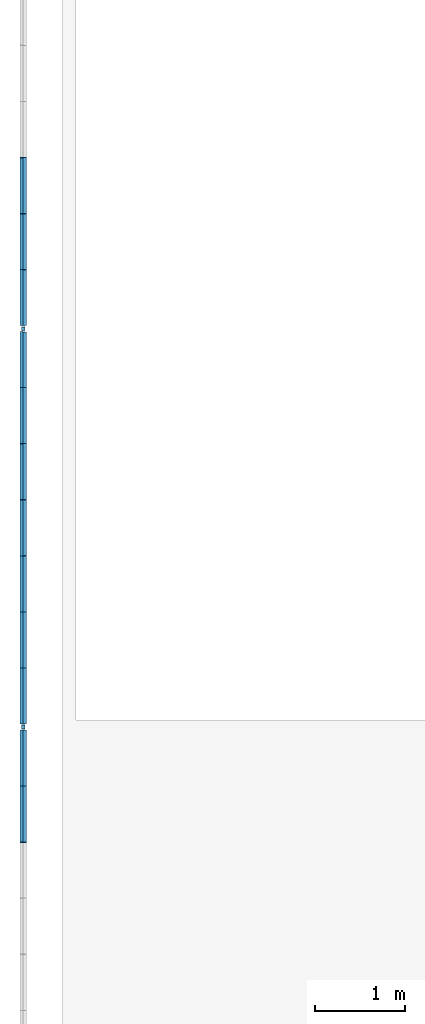
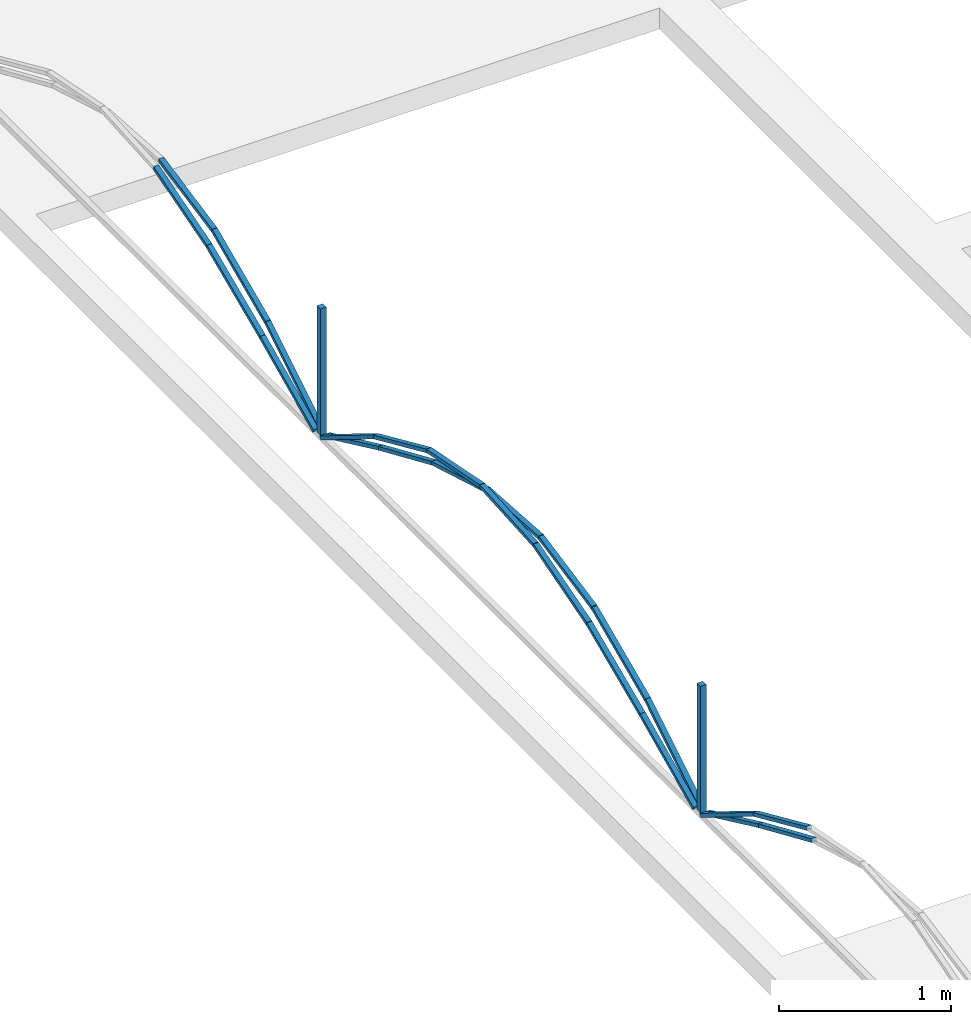
# One storey, part 4 of 9: 26 discrete accessories.
"""IFC4 building model written with IfcOpenShell, lengths in metres."""

import ifcopenshell
import ifcopenshell.guid

model = None  # the IFC model being written
_history = None  # IfcOwnerHistory: only IFC2X3 demands one
_inside = {}  # id of a spatial element -> (the spatial element, [elements in it])
_under = {}  # id of a project, library or spatial element -> (it, [spatial elements below it])
_declared = {}  # id of a project -> (the project, [libraries it declares])
_typed = {}  # id of a type object -> (the type object, [elements of that type])
_made_of = {}  # id of a material, layer set ... -> (it, [elements and type objects made of it])


def new_model(schema):
    """Start an empty IFC model of exactly this schema.

    Asked for "IFC4X3", IfcOpenShell would pick the latest addendum, in which some entities
    have other attributes; the version numbers below select the first issue.
    IFC2X3 requires an IfcOwnerHistory on every rooted entity: one is made here for all.
    """
    global model, _history
    if schema == "IFC4X3":
        model = ifcopenshell.file(schema_version=(4, 3, 0, 0))
    else:
        model = ifcopenshell.file(schema=schema)
    _inside.clear()
    _under.clear()
    _declared.clear()
    _typed.clear()
    _made_of.clear()
    _history = None
    if model.schema == "IFC2X3":
        org = make("IfcOrganization", Name="unknown")
        user = make(
            "IfcPersonAndOrganization",
            ThePerson=make("IfcPerson", FamilyName="unknown"),
            TheOrganization=org,
        )
        app = make(
            "IfcApplication",
            ApplicationDeveloper=org,
            Version="unknown",
            ApplicationFullName="unknown",
            ApplicationIdentifier="unknown",
        )
        _history = make(
            "IfcOwnerHistory",
            OwningUser=user,
            OwningApplication=app,
            ChangeAction="ADDED",
            CreationDate=0,
        )
    return model


def make(cls, **values):
    """One entity of the class cls with the attributes given. An attribute that is None is left unset."""
    return model.create_entity(
        cls, **{name: value for name, value in values.items() if value is not None}
    )


def rooted(cls, **values):
    """An entity with a GlobalId (a new one), such as an element, a storey or a relation."""
    return make(cls, GlobalId=ifcopenshell.guid.new(), OwnerHistory=_history, **values)


def si_unit(unit_type, name, prefix=None):
    """IfcSIUnit, for example si_unit("LENGTHUNIT", "METRE", prefix="MILLI")."""
    return make("IfcSIUnit", UnitType=unit_type, Prefix=prefix, Name=name)


def assignment(units):
    """IfcUnitAssignment: the units of a project."""
    return None if units is None else make("IfcUnitAssignment", Units=units)


def point(xyz):
    """IfcCartesianPoint."""
    return None if xyz is None else make("IfcCartesianPoint", Coordinates=xyz)


def direction(xyz):
    """IfcDirection."""
    return None if xyz is None else make("IfcDirection", DirectionRatios=xyz)


def frame(location, z_axis=None, x_axis=None):
    """IfcAxis2Placement3D, a coordinate frame: its origin and axes. An axis left out is left unset."""
    return make(
        "IfcAxis2Placement3D",
        Location=point(location),
        Axis=direction(z_axis),
        RefDirection=direction(x_axis),
    )


def frame_2d(location, x_axis=None):
    """IfcAxis2Placement2D, a coordinate frame in the plane: its origin and x axis."""
    return make(
        "IfcAxis2Placement2D", Location=point(location), RefDirection=direction(x_axis)
    )


def origin():
    """The frame at (0, 0, 0) with its axes left unset."""
    return frame((0.0, 0.0, 0.0))


def origin_2d():
    """The frame at (0, 0) in the plane with its x axis left unset."""
    return frame_2d((0.0, 0.0))


def place(relative_to, where):
    """IfcLocalPlacement: puts the frame where relative to a parent placement (None: the world)."""
    return make(
        "IfcLocalPlacement", PlacementRelTo=relative_to, RelativePlacement=where
    )


def context(
    kind, dimensions, precision=None, world=None, true_north=None, identifier=None
):
    """IfcGeometricRepresentationContext, for example the 3D "Model" context."""
    return make(
        "IfcGeometricRepresentationContext",
        ContextIdentifier=identifier,
        ContextType=kind,
        CoordinateSpaceDimension=dimensions,
        Precision=precision,
        WorldCoordinateSystem=world,
        TrueNorth=true_north,
    )


def subcontext(parent, identifier, kind, view, scale=None):
    """IfcGeometricRepresentationSubContext, for example "Body" below "Model"."""
    return make(
        "IfcGeometricRepresentationSubContext",
        ContextIdentifier=identifier,
        ContextType=kind,
        ParentContext=parent,
        TargetScale=scale,
        TargetView=view,
    )


def project(units=None, contexts=None):
    """IfcProject with its units and contexts."""
    return rooted(
        "IfcProject",
        Name="project",
        RepresentationContexts=contexts,
        UnitsInContext=assignment(units),
    )


def spatial(cls, under=None, at=None, **own):
    """A site, building, storey or space (cls), placed at a placement, below another one or the project."""
    s = rooted(cls, ObjectPlacement=at, **own)
    if under is not None:
        _under.setdefault(under.id(), (under, []))[1].append(s)
    return s


def profile(cls, at=None, kind="AREA", **sizes):
    """A parametric profile (cls). Its sizes go by their IFC names, for example OverallWidth=200.0."""
    return make(cls, ProfileType=kind, Position=at, **sizes)


def rectangle(**sizes):
    """IfcRectangleProfileDef."""
    return profile("IfcRectangleProfileDef", **sizes)


def extrude(swept, where, along, depth):
    """IfcExtrudedAreaSolid: the profile swept, set in the frame where, extruded along a direction by depth."""
    return make(
        "IfcExtrudedAreaSolid",
        SweptArea=swept,
        Position=where,
        ExtrudedDirection=direction(along),
        Depth=depth,
    )


def shape(context_of_items, identifier, shape_type, items):
    """IfcShapeRepresentation: the items that make up one representation, for example the "Body"."""
    return make(
        "IfcShapeRepresentation",
        ContextOfItems=context_of_items,
        RepresentationIdentifier=identifier,
        RepresentationType=shape_type,
        Items=items,
    )


def material(Name=None, Category=None):
    """IfcMaterial."""
    return make("IfcMaterial", Name=Name, Category=Category)


def material_profile(
    of_material, cross_section, Name=None, Category=None, Priority=None
):
    """IfcMaterialProfile: a cross section and its material."""
    return make(
        "IfcMaterialProfile",
        Name=Name,
        Material=of_material,
        Profile=cross_section,
        Priority=Priority,
        Category=Category,
    )


def profile_set(profiles, Name=None, composite=None):
    """IfcMaterialProfileSet."""
    return make(
        "IfcMaterialProfileSet",
        Name=Name,
        MaterialProfiles=profiles,
        CompositeProfile=composite,
    )


def made_of(thing, what):
    """Note that an element or type object is made of a material, layer set ...; save() writes the relation."""
    if what is not None:
        _made_of.setdefault(what.id(), (what, []))[1].append(thing)
    return thing


def type_object(cls, material=None, **own):
    """A type object (cls), such as IfcWallType, which elements share."""
    return made_of(rooted(cls, **own), material)


def element(
    cls,
    number,
    at=None,
    inside=None,
    cuts=None,
    type_object=None,
    material=None,
    context=None,
    identifier="Body",
    shape_type=None,
    held_by="IfcProductDefinitionShape",
    body=None,
    shapes=None,
    **own,
):
    """One element of the class cls, such as IfcWall. Its Tag is "e" and its number.

    at: its placement. inside: the storey or other place that contains it. cuts: it is an
    opening in that element (IfcRelVoidsElement). A single representation is given by context,
    identifier, shape_type and body (its items); several are given by shapes. held_by: the class
    of the entity that holds the representations. save() writes the other relations.
    """
    e = rooted(cls, Tag="e%d" % number, ObjectPlacement=at, **own)
    if body is not None:
        shapes = [shape(context, identifier, shape_type, body)]
    if shapes is not None:
        e.Representation = make(held_by, Representations=shapes)
    if inside is not None:
        _inside.setdefault(inside.id(), (inside, []))[1].append(e)
    if cuts is not None:
        rooted(
            "IfcRelVoidsElement", RelatingBuildingElement=cuts, RelatedOpeningElement=e
        )
    if type_object is not None:
        _typed.setdefault(type_object.id(), (type_object, []))[1].append(e)
    return made_of(e, material)


def aggregate(whole, parts):
    """IfcRelAggregates: a whole, such as a stair, and the parts it consists of."""
    return rooted("IfcRelAggregates", RelatingObject=whole, RelatedObjects=parts)


def save(model, path):
    """Write the relations noted so far, then the file.

    IfcRelAggregates (storeys below a building ...), IfcRelContainedInSpatialStructure (elements
    in a storey), IfcRelDefinesByType, IfcRelAssociatesMaterial and IfcRelDeclares: one each for
    every whole, place, type object, material and project.
    """
    for whole, parts in _under.values():
        aggregate(whole, parts)
    for where, things in _inside.values():
        rooted(
            "IfcRelContainedInSpatialStructure",
            RelatedElements=things,
            RelatingStructure=where,
        )
    for kind, things in _typed.values():
        rooted("IfcRelDefinesByType", RelatedObjects=things, RelatingType=kind)
    for what, things in _made_of.values():
        rooted("IfcRelAssociatesMaterial", RelatedObjects=things, RelatingMaterial=what)
    for by, libraries in _declared.values():
        rooted("IfcRelDeclares", RelatingContext=by, RelatedDefinitions=libraries)
    model.write(path)


model = new_model("IFC4")

# Units and contexts
model_context = context("Model", 3, precision=1e-05, world=origin(), true_north=direction((0.0, 1.0)))
body_context = subcontext(model_context, "Body", "Model", "MODEL_VIEW")
ifc_project = project(units=[si_unit("LENGTHUNIT", "METRE"), si_unit("AREAUNIT", "SQUARE_METRE"), si_unit("VOLUMEUNIT", "CUBIC_METRE"), si_unit("PLANEANGLEUNIT", "RADIAN"), si_unit("MASSUNIT", "GRAM", prefix="KILO")], contexts=[model_context])

# Site, building, storey
site_placement = place(None, origin())
site = spatial("IfcSite", under=ifc_project, at=site_placement, CompositionType="ELEMENT")
building_placement = place(site_placement, origin())
building = spatial("IfcBuilding", under=site, at=building_placement, Name="Hortulan Conservatory and Botanical Research Centre", CompositionType="ELEMENT")
storey_placement = place(building_placement, frame((0.0, 0.0, 74.25)))
storey = spatial("IfcBuildingStorey", under=building, at=storey_placement, Name="MAIN ROOF", CompositionType="ELEMENT", Elevation=74.25)

# Discrete accessories
ifc_material = material(Name="Bronze-charcoal painted wrought iron", Category="metal")
ifc_material_profile_1 = material_profile(ifc_material, rectangle(XDim=0.0400390625, YDim=0.0400390625, at=origin_2d()), Name="Square bar 40x40")
ifc_profile_set_1 = profile_set([ifc_material_profile_1], Name="Bronze-charcoal painted wrought iron")
discrete_accessory_type_1 = type_object("IfcDiscreteAccessoryType", Name="Cresting Post 40x40", PredefinedType="USERDEFINED", material=ifc_profile_set_1)
for number, where, z_axis, x_axis, name in (
    (1, (8.56396484375, 9.0712890625, 1.43994140625), (0.0, 0.0, 1.0), (1.0, 0.0, 0.0), "Cresting post"),
    (2, (8.56396484375, 13.5, 1.43994140625), (0.0, 0.0, 1.0), (1.0, 0.0, 0.0), "Cresting post"),
):
    element("IfcDiscreteAccessory", number, at=place(storey_placement, frame(where, z_axis=z_axis, x_axis=x_axis)), inside=storey, type_object=discrete_accessory_type_1, Name=name, ObjectType="Cresting post", PredefinedType="USERDEFINED", context=body_context, shape_type="SweptSolid", body=[
        extrude(rectangle(XDim=0.0400390625, YDim=0.0400390625, at=origin_2d()), origin(), (0.0, 0.0, 1.0), 0.900146484375),
    ])
ifc_material_profile_2 = material_profile(ifc_material, rectangle(XDim=0.034912109375, YDim=0.02490234375, at=origin_2d()), Name="Flat bar 35x25")
ifc_profile_set_2 = profile_set([ifc_material_profile_2], Name="Bronze-charcoal painted wrought iron")
discrete_accessory_type_2 = type_object("IfcDiscreteAccessoryType", Name="Whiplash Bar 35x25", PredefinedType="USERDEFINED", material=ifc_profile_set_2)
discrete_accessory_1_placement = place(storey_placement, frame((8.58154296875, 7.788818359375, 2.00048828125), z_axis=(0.0, 0.917007032271, -0.398871035255), x_axis=(-1.0, 0.0, 0.0)))
element("IfcDiscreteAccessory", 3, at=discrete_accessory_1_placement, inside=storey, type_object=discrete_accessory_type_2, Name="Whiplash bar", ObjectType="Whiplash cresting bar", PredefinedType="USERDEFINED", context=body_context, shape_type="SweptSolid", body=[
    extrude(rectangle(XDim=0.034912109375, YDim=0.02490234375, at=origin_2d()), origin(), (0.0, 0.0, 1.0), 0.677490234375),
])
discrete_accessory_2_placement = place(storey_placement, frame((8.58154296875, 8.41015625, 1.730224609375), z_axis=(0.0, 0.905937350964, -0.423411757192), x_axis=(-1.0, 0.0, 0.0)))
element("IfcDiscreteAccessory", 4, at=discrete_accessory_2_placement, inside=storey, type_object=discrete_accessory_type_2, Name="Whiplash bar", ObjectType="Whiplash cresting bar", PredefinedType="USERDEFINED", context=body_context, shape_type="SweptSolid", body=[
    extrude(rectangle(XDim=0.034912109375, YDim=0.02490234375, at=origin_2d()), origin(), (0.0, 0.0, 1.0), 0.685546875),
])
discrete_accessory_3_placement = place(storey_placement, frame((8.54638671875, 7.788818359375, 2.100341796875), z_axis=(0.0, 0.91329286658, -0.407303498455), x_axis=(-1.0, 0.0, 0.0)))
element("IfcDiscreteAccessory", 5, at=discrete_accessory_3_placement, inside=storey, type_object=discrete_accessory_type_2, Name="Whiplash bar", ObjectType="Whiplash cresting bar", PredefinedType="USERDEFINED", context=body_context, shape_type="SweptSolid", body=[
    extrude(rectangle(XDim=0.034912109375, YDim=0.02490234375, at=origin_2d()), origin(), (0.0, 0.0, 1.0), 0.680419921875),
])
discrete_accessory_4_placement = place(storey_placement, frame((8.54638671875, 8.41015625, 1.8232421875), z_axis=(0.0, 0.850991481626, -0.525179491412), x_axis=(-1.0, 0.0, 0.0)))
element("IfcDiscreteAccessory", 6, at=discrete_accessory_4_placement, inside=storey, type_object=discrete_accessory_type_2, Name="Whiplash bar", ObjectType="Whiplash cresting bar", PredefinedType="USERDEFINED", context=body_context, shape_type="SweptSolid", body=[
    extrude(rectangle(XDim=0.034912109375, YDim=0.02490234375, at=origin_2d()), origin(), (0.0, 0.0, 1.0), 0.729736328125),
])
discrete_accessory_5_placement = place(storey_placement, frame((8.58154296875, 9.111328125, 1.43994140625), z_axis=(0.0, 0.851083704405, 0.5250300259), x_axis=(-1.0, 0.0, 0.0)))
element("IfcDiscreteAccessory", 7, at=discrete_accessory_5_placement, inside=storey, type_object=discrete_accessory_type_2, Name="Whiplash bar", ObjectType="Whiplash cresting bar", PredefinedType="USERDEFINED", context=body_context, shape_type="SweptSolid", body=[
    extrude(rectangle(XDim=0.034912109375, YDim=0.02490234375, at=origin_2d()), origin(), (0.0, 0.0, 1.0), 0.72998046875),
])
discrete_accessory_6_placement = place(storey_placement, frame((8.58154296875, 9.732666015625, 1.8232421875), z_axis=(0.0, 0.913233304192, 0.407437028403), x_axis=(-1.0, 0.0, 0.0)))
element("IfcDiscreteAccessory", 8, at=discrete_accessory_6_placement, inside=storey, type_object=discrete_accessory_type_2, Name="Whiplash bar", ObjectType="Whiplash cresting bar", PredefinedType="USERDEFINED", context=body_context, shape_type="SweptSolid", body=[
    extrude(rectangle(XDim=0.034912109375, YDim=0.02490234375, at=origin_2d()), origin(), (0.0, 0.0, 1.0), 0.68017578125),
])
discrete_accessory_7_placement = place(storey_placement, frame((8.58154296875, 10.353759765625, 2.100341796875), z_axis=(0.0, 0.980728609144, 0.195375011723), x_axis=(-1.0, 0.0, 0.0)))
element("IfcDiscreteAccessory", 9, at=discrete_accessory_7_placement, inside=storey, type_object=discrete_accessory_type_2, Name="Whiplash bar", ObjectType="Whiplash cresting bar", PredefinedType="USERDEFINED", context=body_context, shape_type="SweptSolid", body=[
    extrude(rectangle(XDim=0.034912109375, YDim=0.02490234375, at=origin_2d()), origin(), (0.0, 0.0, 1.0), 0.633544921875),
])
discrete_accessory_8_placement = place(storey_placement, frame((8.58154296875, 10.97509765625, 2.22412109375), z_axis=(0.0, 0.997774733056, -0.066675198357), x_axis=(-1.0, 0.0, 0.0)))
element("IfcDiscreteAccessory", 10, at=discrete_accessory_8_placement, inside=storey, type_object=discrete_accessory_type_2, Name="Whiplash bar", ObjectType="Whiplash cresting bar", PredefinedType="USERDEFINED", context=body_context, shape_type="SweptSolid", body=[
    extrude(rectangle(XDim=0.034912109375, YDim=0.02490234375, at=origin_2d()), origin(), (0.0, 0.0, 1.0), 0.62255859375),
])
discrete_accessory_9_placement = place(storey_placement, frame((8.58154296875, 11.59619140625, 2.1826171875), z_axis=(0.0, 0.959623279504, -0.281288395485), x_axis=(-1.0, 0.0, 0.0)))
element("IfcDiscreteAccessory", 11, at=discrete_accessory_9_placement, inside=storey, type_object=discrete_accessory_type_2, Name="Whiplash bar", ObjectType="Whiplash cresting bar", PredefinedType="USERDEFINED", context=body_context, shape_type="SweptSolid", body=[
    extrude(rectangle(XDim=0.034912109375, YDim=0.02490234375, at=origin_2d()), origin(), (0.0, 0.0, 1.0), 0.6474609375),
])
discrete_accessory_10_placement = place(storey_placement, frame((8.58154296875, 12.217529296875, 2.00048828125), z_axis=(0.0, 0.917007032271, -0.398871035255), x_axis=(-1.0, 0.0, 0.0)))
element("IfcDiscreteAccessory", 12, at=discrete_accessory_10_placement, inside=storey, type_object=discrete_accessory_type_2, Name="Whiplash bar", ObjectType="Whiplash cresting bar", PredefinedType="USERDEFINED", context=body_context, shape_type="SweptSolid", body=[
    extrude(rectangle(XDim=0.034912109375, YDim=0.02490234375, at=origin_2d()), origin(), (0.0, 0.0, 1.0), 0.677490234375),
])
discrete_accessory_11_placement = place(storey_placement, frame((8.58154296875, 12.8388671875, 1.730224609375), z_axis=(0.0, 0.905937350964, -0.423411757192), x_axis=(-1.0, 0.0, 0.0)))
element("IfcDiscreteAccessory", 13, at=discrete_accessory_11_placement, inside=storey, type_object=discrete_accessory_type_2, Name="Whiplash bar", ObjectType="Whiplash cresting bar", PredefinedType="USERDEFINED", context=body_context, shape_type="SweptSolid", body=[
    extrude(rectangle(XDim=0.034912109375, YDim=0.02490234375, at=origin_2d()), origin(), (0.0, 0.0, 1.0), 0.685546875),
])
discrete_accessory_12_placement = place(storey_placement, frame((8.54638671875, 9.111328125, 1.43994140625), z_axis=(0.0, 0.906001162141, 0.42327519913), x_axis=(-1.0, 0.0, 0.0)))
element("IfcDiscreteAccessory", 14, at=discrete_accessory_12_placement, inside=storey, type_object=discrete_accessory_type_2, Name="Whiplash bar", ObjectType="Whiplash cresting bar", PredefinedType="USERDEFINED", context=body_context, shape_type="SweptSolid", body=[
    extrude(rectangle(XDim=0.034912109375, YDim=0.02490234375, at=origin_2d()), origin(), (0.0, 0.0, 1.0), 0.685791015625),
])
discrete_accessory_13_placement = place(storey_placement, frame((8.54638671875, 9.732666015625, 1.730224609375), z_axis=(0.0, 0.91694967808, 0.399002866995), x_axis=(-1.0, 0.0, 0.0)))
element("IfcDiscreteAccessory", 15, at=discrete_accessory_13_placement, inside=storey, type_object=discrete_accessory_type_2, Name="Whiplash bar", ObjectType="Whiplash cresting bar", PredefinedType="USERDEFINED", context=body_context, shape_type="SweptSolid", body=[
    extrude(rectangle(XDim=0.034912109375, YDim=0.02490234375, at=origin_2d()), origin(), (0.0, 0.0, 1.0), 0.67724609375),
])
discrete_accessory_14_placement = place(storey_placement, frame((8.54638671875, 10.353759765625, 2.00048828125), z_axis=(0.0, 0.959623279504, 0.281288395485), x_axis=(-1.0, 0.0, 0.0)))
element("IfcDiscreteAccessory", 16, at=discrete_accessory_14_placement, inside=storey, type_object=discrete_accessory_type_2, Name="Whiplash bar", ObjectType="Whiplash cresting bar", PredefinedType="USERDEFINED", context=body_context, shape_type="SweptSolid", body=[
    extrude(rectangle(XDim=0.034912109375, YDim=0.02490234375, at=origin_2d()), origin(), (0.0, 0.0, 1.0), 0.6474609375),
])
discrete_accessory_15_placement = place(storey_placement, frame((8.54638671875, 10.97509765625, 2.1826171875), z_axis=(0.0, 0.997774733056, 0.066675198357), x_axis=(-1.0, 0.0, 0.0)))
element("IfcDiscreteAccessory", 17, at=discrete_accessory_15_placement, inside=storey, type_object=discrete_accessory_type_2, Name="Whiplash bar", ObjectType="Whiplash cresting bar", PredefinedType="USERDEFINED", context=body_context, shape_type="SweptSolid", body=[
    extrude(rectangle(XDim=0.034912109375, YDim=0.02490234375, at=origin_2d()), origin(), (0.0, 0.0, 1.0), 0.62255859375),
])
discrete_accessory_16_placement = place(storey_placement, frame((8.54638671875, 11.59619140625, 2.22412109375), z_axis=(0.0, 0.980728609144, -0.195375011723), x_axis=(-1.0, 0.0, 0.0)))
element("IfcDiscreteAccessory", 18, at=discrete_accessory_16_placement, inside=storey, type_object=discrete_accessory_type_2, Name="Whiplash bar", ObjectType="Whiplash cresting bar", PredefinedType="USERDEFINED", context=body_context, shape_type="SweptSolid", body=[
    extrude(rectangle(XDim=0.034912109375, YDim=0.02490234375, at=origin_2d()), origin(), (0.0, 0.0, 1.0), 0.633544921875),
])
discrete_accessory_17_placement = place(storey_placement, frame((8.54638671875, 12.217529296875, 2.100341796875), z_axis=(0.0, 0.91329286658, -0.407303498455), x_axis=(-1.0, 0.0, 0.0)))
element("IfcDiscreteAccessory", 19, at=discrete_accessory_17_placement, inside=storey, type_object=discrete_accessory_type_2, Name="Whiplash bar", ObjectType="Whiplash cresting bar", PredefinedType="USERDEFINED", context=body_context, shape_type="SweptSolid", body=[
    extrude(rectangle(XDim=0.034912109375, YDim=0.02490234375, at=origin_2d()), origin(), (0.0, 0.0, 1.0), 0.680419921875),
])
for number, where, z_axis, x_axis, name in (
    (20, (8.54638671875, 12.8388671875, 1.8232421875), (0.0, 0.850991481626, -0.525179491412), (-1.0, 0.0, 0.0), "Whiplash bar"),
    (21, (8.58154296875, 13.5400390625, 1.43994140625), (0.0, 0.850991481626, 0.525179491412), (-1.0, 0.0, 0.0), "Whiplash bar"),
):
    element("IfcDiscreteAccessory", number, at=place(storey_placement, frame(where, z_axis=z_axis, x_axis=x_axis)), inside=storey, type_object=discrete_accessory_type_2, Name=name, ObjectType="Whiplash cresting bar", PredefinedType="USERDEFINED", context=body_context, shape_type="SweptSolid", body=[
        extrude(rectangle(XDim=0.034912109375, YDim=0.02490234375, at=origin_2d()), origin(), (0.0, 0.0, 1.0), 0.729736328125),
    ])
discrete_accessory_18_placement = place(storey_placement, frame((8.58154296875, 14.1611328125, 1.8232421875), z_axis=(0.0, 0.91329286658, 0.407303498455), x_axis=(-1.0, 0.0, 0.0)))
element("IfcDiscreteAccessory", 22, at=discrete_accessory_18_placement, inside=storey, type_object=discrete_accessory_type_2, Name="Whiplash bar", ObjectType="Whiplash cresting bar", PredefinedType="USERDEFINED", context=body_context, shape_type="SweptSolid", body=[
    extrude(rectangle(XDim=0.034912109375, YDim=0.02490234375, at=origin_2d()), origin(), (0.0, 0.0, 1.0), 0.680419921875),
])
discrete_accessory_19_placement = place(storey_placement, frame((8.58154296875, 14.782470703125, 2.100341796875), z_axis=(0.0, 0.980728609144, 0.195375011723), x_axis=(-1.0, 0.0, 0.0)))
element("IfcDiscreteAccessory", 23, at=discrete_accessory_19_placement, inside=storey, type_object=discrete_accessory_type_2, Name="Whiplash bar", ObjectType="Whiplash cresting bar", PredefinedType="USERDEFINED", context=body_context, shape_type="SweptSolid", body=[
    extrude(rectangle(XDim=0.034912109375, YDim=0.02490234375, at=origin_2d()), origin(), (0.0, 0.0, 1.0), 0.633544921875),
])
discrete_accessory_20_placement = place(storey_placement, frame((8.54638671875, 13.5400390625, 1.43994140625), z_axis=(0.0, 0.905937350964, 0.423411757192), x_axis=(-1.0, 0.0, 0.0)))
element("IfcDiscreteAccessory", 24, at=discrete_accessory_20_placement, inside=storey, type_object=discrete_accessory_type_2, Name="Whiplash bar", ObjectType="Whiplash cresting bar", PredefinedType="USERDEFINED", context=body_context, shape_type="SweptSolid", body=[
    extrude(rectangle(XDim=0.034912109375, YDim=0.02490234375, at=origin_2d()), origin(), (0.0, 0.0, 1.0), 0.685546875),
])
discrete_accessory_21_placement = place(storey_placement, frame((8.54638671875, 14.1611328125, 1.730224609375), z_axis=(0.0, 0.917007032271, 0.398871035255), x_axis=(-1.0, 0.0, 0.0)))
element("IfcDiscreteAccessory", 25, at=discrete_accessory_21_placement, inside=storey, type_object=discrete_accessory_type_2, Name="Whiplash bar", ObjectType="Whiplash cresting bar", PredefinedType="USERDEFINED", context=body_context, shape_type="SweptSolid", body=[
    extrude(rectangle(XDim=0.034912109375, YDim=0.02490234375, at=origin_2d()), origin(), (0.0, 0.0, 1.0), 0.677490234375),
])
discrete_accessory_22_placement = place(storey_placement, frame((8.54638671875, 14.782470703125, 2.00048828125), z_axis=(0.0, 0.959623279504, 0.281288395485), x_axis=(-1.0, 0.0, 0.0)))
element("IfcDiscreteAccessory", 26, at=discrete_accessory_22_placement, inside=storey, type_object=discrete_accessory_type_2, Name="Whiplash bar", ObjectType="Whiplash cresting bar", PredefinedType="USERDEFINED", context=body_context, shape_type="SweptSolid", body=[
    extrude(rectangle(XDim=0.034912109375, YDim=0.02490234375, at=origin_2d()), origin(), (0.0, 0.0, 1.0), 0.6474609375),
])

save(model, "model.ifc")
